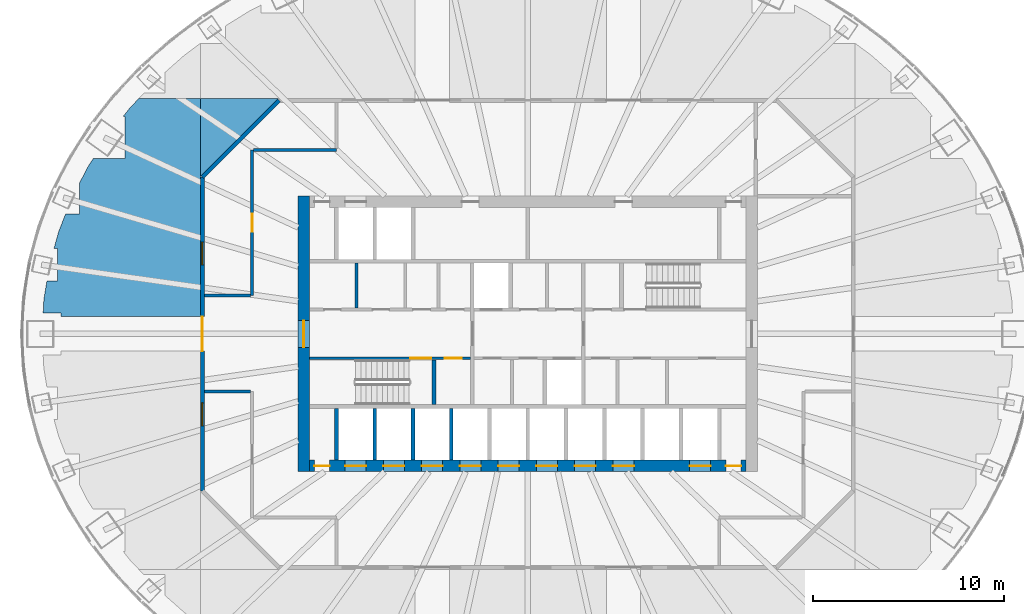
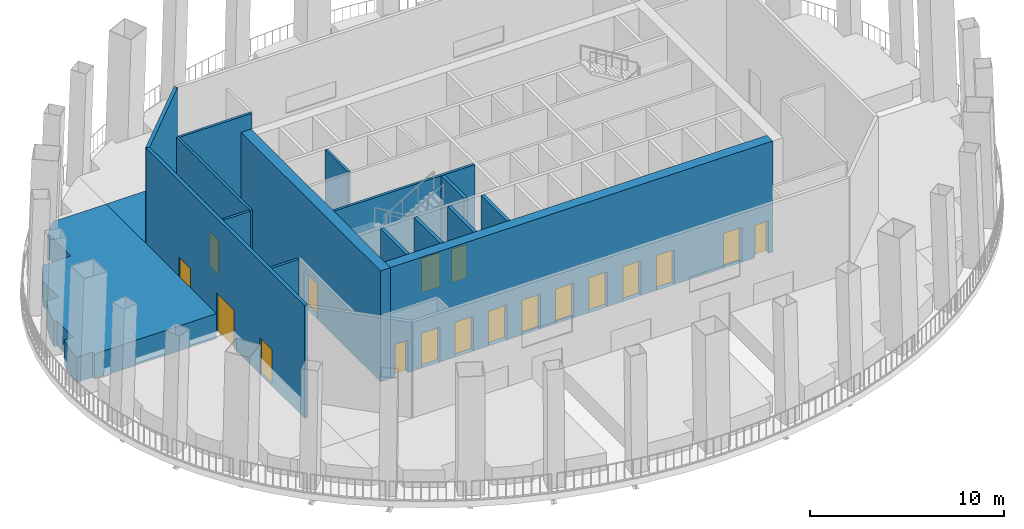
# One storey, part 4 of 13: 17 walls, 16 doors, 2 windows, 18 openings.
"""IFC4 building model written with IfcOpenShell, lengths in metres."""

from ifc_helpers import new_model, si_unit, direction, frame, frame_2d, origin, place, context, subcontext, project, spatial, polyline, rectangle, outline, extrude, material, layer, layer_set, type_object, element, fill, save


model = new_model("IFC4")

# Units and contexts
model_context = context("Model", 3, precision=1e-05, world=origin(), true_north=direction((0.0, 1.0)))
body_context = subcontext(model_context, "Body", "Model", "MODEL_VIEW")
ifc_project = project(units=[si_unit("LENGTHUNIT", "METRE"), si_unit("AREAUNIT", "SQUARE_METRE"), si_unit("VOLUMEUNIT", "CUBIC_METRE"), si_unit("PLANEANGLEUNIT", "RADIAN"), si_unit("MASSUNIT", "GRAM", prefix="KILO")], contexts=[model_context])

# Site, building, storey
site_placement = place(None, origin())
site = spatial("IfcSite", under=ifc_project, at=site_placement, CompositionType="ELEMENT")
building_placement = place(site_placement, origin())
building = spatial("IfcBuilding", under=site, at=building_placement, Name="Siaravel Broadcast Tower", CompositionType="ELEMENT")
storey_placement = place(building_placement, frame((0.0, 0.0, 85.199951171875)))
storey = spatial("IfcBuildingStorey", under=building, at=storey_placement, Name="L20", CompositionType="ELEMENT", Elevation=85.199951171875)

# Wall
ifc_material_1 = material(Name="Concrete blockwork", Category="masonry")
ifc_layer_1 = layer(ifc_material_1, 0.14990234375)
ifc_layer_set_1 = layer_set([ifc_layer_1], Name="Concrete blockwork")
wall_type_1 = type_object("IfcWallType", Name="Core partition 150", PredefinedType="PARTITIONING", material=ifc_layer_set_1)
wall_1_placement = place(storey_placement, frame((-8.93994140625, 1.35009765625, 0.0), z_axis=(0.0, 0.0, 1.0), x_axis=(0.0, 1.0, 0.0)))
element("IfcWall", 1, at=wall_1_placement, inside=storey, type_object=wall_type_1, Name="L20 core partition PNW0", PredefinedType="PARTITIONING", context=body_context, shape_type="SweptSolid", body=[
    extrude(rectangle(XDim=2.349853515625, YDim=0.14990234375, at=frame_2d((1.1748046875, 0.0))), origin(), (0.0, 0.0, 1.0), 7.0),
])

# Wall, opening, door
ifc_material_2 = material(Name="Concrete C60/75", Category="concrete")
ifc_layer_2 = layer(ifc_material_2, 0.60009765625)
ifc_layer_set_2 = layer_set([ifc_layer_2], Name="Concrete C60/75")
wall_type_2 = type_object("IfcWallType", Name="Core wall 600", PredefinedType="SHEAR", material=ifc_layer_set_2)
wall_2_placement = place(storey_placement, frame((-11.699951171875, -7.199951171875, 0.0), z_axis=(0.0, 0.0, 1.0), x_axis=(0.0, 1.0, 0.0)))
wall_2 = element("IfcWall", 2, at=wall_2_placement, inside=storey, type_object=wall_type_2, Name="L20 core wall OW", PredefinedType="SHEAR", context=body_context, shape_type="SweptSolid", body=[
    extrude(rectangle(XDim=14.39990234375, YDim=0.60009765625, at=frame_2d((7.199951171875, 0.0))), origin(), (0.0, 0.0, 1.0), 7.0),
])
opening_1_placement = place(wall_2_placement, frame((6.5, 0.0, 0.0)))
opening_1 = element("IfcOpeningElement", 3, at=opening_1_placement, cuts=wall_2, Name="Opening L20-DX-W", PredefinedType="OPENING", context=body_context, shape_type="SweptSolid", body=[
    extrude(rectangle(XDim=1.39990234375, YDim=2.199951171875, at=frame_2d((0.699951171875, 1.10009765625))), frame((0.0, 0.31005859375, 0.0), z_axis=(0.0, -1.0, 0.0), x_axis=(1.0, 0.0, 0.0)), (0.0, 0.0, 1.0), 0.6201171875),
])
ifc_material_3 = material(Name="Steel", Category="steel")
door_type_1 = type_object("IfcDoorType", Name="Core exit door 1400", OperationType="DOUBLE_DOOR_SINGLE_SWING", PredefinedType="DOOR", material=ifc_material_3)
door_1_placement = place(opening_1_placement, origin())
door_1 = element("IfcDoor", 4, at=door_1_placement, inside=storey, type_object=door_type_1, Name="L20 door DX-W", OperationType="DOUBLE_DOOR_SINGLE_SWING", OverallHeight=2.199951171875, OverallWidth=1.39990234375, PredefinedType="DOOR", context=body_context, shape_type="SweptSolid", body=[
    extrude(rectangle(XDim=1.39990234375, YDim=2.199951171875, at=frame_2d((0.699951171875, 1.10009765625))), frame((0.0, 0.02490234375, 0.0), z_axis=(0.0, -1.0, 0.0), x_axis=(1.0, 0.0, 0.0)), (0.0, 0.0, 1.0), 0.050048828125),
])
fill(opening_1, door_1)

# Wall, openings, doors
wall_3_placement = place(storey_placement, frame((-11.39990234375, -6.89990234375, 0.0), z_axis=(0.0, 0.0, 1.0), x_axis=(1.0, 0.0, 0.0)))
wall_3 = element("IfcWall", 5, at=wall_3_placement, inside=storey, type_object=wall_type_2, Name="L20 core wall OS", PredefinedType="SHEAR", context=body_context, shape_type="SweptSolid", body=[
    extrude(rectangle(XDim=22.7998046875, YDim=0.60009765625, at=frame_2d((11.39990234375, 0.0))), origin(), (0.0, 0.0, 1.0), 7.0),
])
opening_2_placement = place(wall_3_placement, frame((1.85009765625, 0.0, 0.0)))
opening_2 = element("IfcOpeningElement", 6, at=opening_2_placement, cuts=wall_3, Name="Opening LD-LP1-L20", PredefinedType="OPENING", context=body_context, shape_type="SweptSolid", body=[
    extrude(rectangle(XDim=1.10009765625, YDim=2.199951171875, at=frame_2d((0.550048828125, 1.10009765625))), frame((0.0, 0.31005859375, 0.0), z_axis=(0.0, -1.0, 0.0), x_axis=(1.0, 0.0, 0.0)), (0.0, 0.0, 1.0), 0.6201171875),
])
opening_3_placement = place(wall_3_placement, frame((3.85009765625, 0.0, 0.0)))
opening_3 = element("IfcOpeningElement", 7, at=opening_3_placement, cuts=wall_3, Name="Opening LD-LP2-L20", PredefinedType="OPENING", context=body_context, shape_type="SweptSolid", body=[
    extrude(rectangle(XDim=1.10009765625, YDim=2.199951171875, at=frame_2d((0.550048828125, 1.10009765625))), frame((0.0, 0.31005859375, 0.0), z_axis=(0.0, -1.0, 0.0), x_axis=(1.0, 0.0, 0.0)), (0.0, 0.0, 1.0), 0.6201171875),
])
opening_4_placement = place(wall_3_placement, frame((5.85009765625, 0.0, 0.0)))
opening_4 = element("IfcOpeningElement", 8, at=opening_4_placement, cuts=wall_3, Name="Opening LD-LP3-L20", PredefinedType="OPENING", context=body_context, shape_type="SweptSolid", body=[
    extrude(rectangle(XDim=1.10009765625, YDim=2.199951171875, at=frame_2d((0.550048828125, 1.10009765625))), frame((0.0, 0.31005859375, 0.0), z_axis=(0.0, -1.0, 0.0), x_axis=(1.0, 0.0, 0.0)), (0.0, 0.0, 1.0), 0.6201171875),
])
opening_5_placement = place(wall_3_placement, frame((7.85009765625, 0.0, 0.0)))
opening_5 = element("IfcOpeningElement", 9, at=opening_5_placement, cuts=wall_3, Name="Opening LD-LP4-L20", PredefinedType="OPENING", context=body_context, shape_type="SweptSolid", body=[
    extrude(rectangle(XDim=1.10009765625, YDim=2.199951171875, at=frame_2d((0.550048828125, 1.10009765625))), frame((0.0, 0.31005859375, 0.0), z_axis=(0.0, -1.0, 0.0), x_axis=(1.0, 0.0, 0.0)), (0.0, 0.0, 1.0), 0.6201171875),
])
opening_6_placement = place(wall_3_placement, frame((9.85009765625, 0.0, 0.0)))
opening_6 = element("IfcOpeningElement", 10, at=opening_6_placement, cuts=wall_3, Name="Opening LD-LP5-L20", PredefinedType="OPENING", context=body_context, shape_type="SweptSolid", body=[
    extrude(rectangle(XDim=1.10009765625, YDim=2.199951171875, at=frame_2d((0.550048828125, 1.10009765625))), frame((0.0, 0.31005859375, 0.0), z_axis=(0.0, -1.0, 0.0), x_axis=(1.0, 0.0, 0.0)), (0.0, 0.0, 1.0), 0.6201171875),
])
opening_7_placement = place(wall_3_placement, frame((11.85009765625, 0.0, 0.0)))
opening_7 = element("IfcOpeningElement", 11, at=opening_7_placement, cuts=wall_3, Name="Opening LD-LP6-L20", PredefinedType="OPENING", context=body_context, shape_type="SweptSolid", body=[
    extrude(rectangle(XDim=1.10009765625, YDim=2.199951171875, at=frame_2d((0.550048828125, 1.10009765625))), frame((0.0, 0.31005859375, 0.0), z_axis=(0.0, -1.0, 0.0), x_axis=(1.0, 0.0, 0.0)), (0.0, 0.0, 1.0), 0.6201171875),
])
opening_8_placement = place(wall_3_placement, frame((13.85009765625, 0.0, 0.0)))
opening_8 = element("IfcOpeningElement", 12, at=opening_8_placement, cuts=wall_3, Name="Opening LD-LP7-L20", PredefinedType="OPENING", context=body_context, shape_type="SweptSolid", body=[
    extrude(rectangle(XDim=1.10009765625, YDim=2.199951171875, at=frame_2d((0.550048828125, 1.10009765625))), frame((0.0, 0.31005859375, 0.0), z_axis=(0.0, -1.0, 0.0), x_axis=(1.0, 0.0, 0.0)), (0.0, 0.0, 1.0), 0.6201171875),
])
opening_9_placement = place(wall_3_placement, frame((15.85009765625, 0.0, 0.0)))
opening_9 = element("IfcOpeningElement", 13, at=opening_9_placement, cuts=wall_3, Name="Opening LD-LP8-L20", PredefinedType="OPENING", context=body_context, shape_type="SweptSolid", body=[
    extrude(rectangle(XDim=1.10009765625, YDim=2.199951171875, at=frame_2d((0.550048828125, 1.10009765625))), frame((0.0, 0.31005859375, 0.0), z_axis=(0.0, -1.0, 0.0), x_axis=(1.0, 0.0, 0.0)), (0.0, 0.0, 1.0), 0.6201171875),
])
opening_10_placement = place(wall_3_placement, frame((19.85009765625, 0.0, 0.0)))
opening_10 = element("IfcOpeningElement", 14, at=opening_10_placement, cuts=wall_3, Name="Opening LD-SV1-L20", PredefinedType="OPENING", context=body_context, shape_type="SweptSolid", body=[
    extrude(rectangle(XDim=1.10009765625, YDim=2.199951171875, at=frame_2d((0.550048828125, 1.10009765625))), frame((0.0, 0.31005859375, 0.0), z_axis=(0.0, -1.0, 0.0), x_axis=(1.0, 0.0, 0.0)), (0.0, 0.0, 1.0), 0.6201171875),
])
opening_11_placement = place(wall_3_placement, frame((0.25, 0.0, 0.0)))
opening_11 = element("IfcOpeningElement", 15, at=opening_11_placement, cuts=wall_3, Name="Opening L20-DRSW", PredefinedType="OPENING", context=body_context, shape_type="SweptSolid", body=[
    extrude(rectangle(XDim=0.800048828125, YDim=2.050048828125, at=frame_2d((0.39990234375, 1.02490234375))), frame((0.0, 0.31005859375, 0.0), z_axis=(0.0, -1.0, 0.0), x_axis=(1.0, 0.0, 0.0)), (0.0, 0.0, 1.0), 0.6201171875),
])
opening_12_placement = place(wall_3_placement, frame((21.75, 0.0, 0.0)))
opening_12 = element("IfcOpeningElement", 16, at=opening_12_placement, cuts=wall_3, Name="Opening L20-DRSE", PredefinedType="OPENING", context=body_context, shape_type="SweptSolid", body=[
    extrude(rectangle(XDim=0.800048828125, YDim=2.050048828125, at=frame_2d((0.39990234375, 1.02490234375))), frame((0.0, 0.31005859375, 0.0), z_axis=(0.0, -1.0, 0.0), x_axis=(1.0, 0.0, 0.0)), (0.0, 0.0, 1.0), 0.6201171875),
])
ifc_material_4 = material(Name="Stainless steel 316L", Category="steel")
door_type_2 = type_object("IfcDoorType", Name="Lift landing door 1100", OperationType="DOUBLE_DOOR_SLIDING", PredefinedType="DOOR", material=ifc_material_4)
door_2_placement = place(opening_2_placement, origin())
door_2 = element("IfcDoor", 17, at=door_2_placement, inside=storey, type_object=door_type_2, Name="Landing door LP1 L20", OperationType="DOUBLE_DOOR_SLIDING", OverallHeight=2.199951171875, OverallWidth=1.10009765625, PredefinedType="DOOR", context=body_context, shape_type="SweptSolid", body=[
    extrude(rectangle(XDim=1.10009765625, YDim=2.199951171875, at=frame_2d((0.550048828125, 1.10009765625))), frame((0.0, 0.02490234375, 0.0), z_axis=(0.0, -1.0, 0.0), x_axis=(1.0, 0.0, 0.0)), (0.0, 0.0, 1.0), 0.050048828125),
])
fill(opening_2, door_2)
door_3_placement = place(opening_3_placement, origin())
door_3 = element("IfcDoor", 18, at=door_3_placement, inside=storey, type_object=door_type_2, Name="Landing door LP2 L20", OperationType="DOUBLE_DOOR_SLIDING", OverallHeight=2.199951171875, OverallWidth=1.10009765625, PredefinedType="DOOR", context=body_context, shape_type="SweptSolid", body=[
    extrude(rectangle(XDim=1.10009765625, YDim=2.199951171875, at=frame_2d((0.550048828125, 1.10009765625))), frame((0.0, 0.02490234375, 0.0), z_axis=(0.0, -1.0, 0.0), x_axis=(1.0, 0.0, 0.0)), (0.0, 0.0, 1.0), 0.050048828125),
])
fill(opening_3, door_3)
door_4_placement = place(opening_4_placement, origin())
door_4 = element("IfcDoor", 19, at=door_4_placement, inside=storey, type_object=door_type_2, Name="Landing door LP3 L20", OperationType="DOUBLE_DOOR_SLIDING", OverallHeight=2.199951171875, OverallWidth=1.10009765625, PredefinedType="DOOR", context=body_context, shape_type="SweptSolid", body=[
    extrude(rectangle(XDim=1.10009765625, YDim=2.199951171875, at=frame_2d((0.550048828125, 1.10009765625))), frame((0.0, 0.02490234375, 0.0), z_axis=(0.0, -1.0, 0.0), x_axis=(1.0, 0.0, 0.0)), (0.0, 0.0, 1.0), 0.050048828125),
])
fill(opening_4, door_4)
door_5_placement = place(opening_5_placement, origin())
door_5 = element("IfcDoor", 20, at=door_5_placement, inside=storey, type_object=door_type_2, Name="Landing door LP4 L20", OperationType="DOUBLE_DOOR_SLIDING", OverallHeight=2.199951171875, OverallWidth=1.10009765625, PredefinedType="DOOR", context=body_context, shape_type="SweptSolid", body=[
    extrude(rectangle(XDim=1.10009765625, YDim=2.199951171875, at=frame_2d((0.550048828125, 1.10009765625))), frame((0.0, 0.02490234375, 0.0), z_axis=(0.0, -1.0, 0.0), x_axis=(1.0, 0.0, 0.0)), (0.0, 0.0, 1.0), 0.050048828125),
])
fill(opening_5, door_5)
door_6_placement = place(opening_6_placement, origin())
door_6 = element("IfcDoor", 21, at=door_6_placement, inside=storey, type_object=door_type_2, Name="Landing door LP5 L20", OperationType="DOUBLE_DOOR_SLIDING", OverallHeight=2.199951171875, OverallWidth=1.10009765625, PredefinedType="DOOR", context=body_context, shape_type="SweptSolid", body=[
    extrude(rectangle(XDim=1.10009765625, YDim=2.199951171875, at=frame_2d((0.550048828125, 1.10009765625))), frame((0.0, 0.02490234375, 0.0), z_axis=(0.0, -1.0, 0.0), x_axis=(1.0, 0.0, 0.0)), (0.0, 0.0, 1.0), 0.050048828125),
])
fill(opening_6, door_6)
door_7_placement = place(opening_7_placement, origin())
door_7 = element("IfcDoor", 22, at=door_7_placement, inside=storey, type_object=door_type_2, Name="Landing door LP6 L20", OperationType="DOUBLE_DOOR_SLIDING", OverallHeight=2.199951171875, OverallWidth=1.10009765625, PredefinedType="DOOR", context=body_context, shape_type="SweptSolid", body=[
    extrude(rectangle(XDim=1.10009765625, YDim=2.199951171875, at=frame_2d((0.550048828125, 1.10009765625))), frame((0.0, 0.02490234375, 0.0), z_axis=(0.0, -1.0, 0.0), x_axis=(1.0, 0.0, 0.0)), (0.0, 0.0, 1.0), 0.050048828125),
])
fill(opening_7, door_7)
door_8_placement = place(opening_8_placement, origin())
door_8 = element("IfcDoor", 23, at=door_8_placement, inside=storey, type_object=door_type_2, Name="Landing door LP7 L20", OperationType="DOUBLE_DOOR_SLIDING", OverallHeight=2.199951171875, OverallWidth=1.10009765625, PredefinedType="DOOR", context=body_context, shape_type="SweptSolid", body=[
    extrude(rectangle(XDim=1.10009765625, YDim=2.199951171875, at=frame_2d((0.550048828125, 1.10009765625))), frame((0.0, 0.02490234375, 0.0), z_axis=(0.0, -1.0, 0.0), x_axis=(1.0, 0.0, 0.0)), (0.0, 0.0, 1.0), 0.050048828125),
])
fill(opening_8, door_8)
door_9_placement = place(opening_9_placement, origin())
door_9 = element("IfcDoor", 24, at=door_9_placement, inside=storey, type_object=door_type_2, Name="Landing door LP8 L20", OperationType="DOUBLE_DOOR_SLIDING", OverallHeight=2.199951171875, OverallWidth=1.10009765625, PredefinedType="DOOR", context=body_context, shape_type="SweptSolid", body=[
    extrude(rectangle(XDim=1.10009765625, YDim=2.199951171875, at=frame_2d((0.550048828125, 1.10009765625))), frame((0.0, 0.02490234375, 0.0), z_axis=(0.0, -1.0, 0.0), x_axis=(1.0, 0.0, 0.0)), (0.0, 0.0, 1.0), 0.050048828125),
])
fill(opening_9, door_9)
door_type_3 = type_object("IfcDoorType", Name="Riser door 800", OperationType="SINGLE_SWING_LEFT", PredefinedType="DOOR", material=ifc_material_3)
door_10_placement = place(opening_11_placement, origin())
door_10 = element("IfcDoor", 25, at=door_10_placement, inside=storey, type_object=door_type_3, Name="L20 door DRSW", OperationType="SINGLE_SWING_LEFT", OverallHeight=2.050048828125, OverallWidth=0.800048828125, PredefinedType="DOOR", context=body_context, shape_type="SweptSolid", body=[
    extrude(rectangle(XDim=0.800048828125, YDim=2.050048828125, at=frame_2d((0.39990234375, 1.02490234375))), frame((0.0, 0.02490234375, 0.0), z_axis=(0.0, -1.0, 0.0), x_axis=(1.0, 0.0, 0.0)), (0.0, 0.0, 1.0), 0.050048828125),
])
fill(opening_11, door_10)
door_11_placement = place(opening_12_placement, origin())
door_11 = element("IfcDoor", 26, at=door_11_placement, inside=storey, type_object=door_type_3, Name="L20 door DRSE", OperationType="SINGLE_SWING_LEFT", OverallHeight=2.050048828125, OverallWidth=0.800048828125, PredefinedType="DOOR", context=body_context, shape_type="SweptSolid", body=[
    extrude(rectangle(XDim=0.800048828125, YDim=2.050048828125, at=frame_2d((0.39990234375, 1.02490234375))), frame((0.0, 0.02490234375, 0.0), z_axis=(0.0, -1.0, 0.0), x_axis=(1.0, 0.0, 0.0)), (0.0, 0.0, 1.0), 0.050048828125),
])
fill(opening_12, door_11)
door_type_4 = type_object("IfcDoorType", Name="Service lift landing door 1100", OperationType="DOUBLE_DOOR_SLIDING", PredefinedType="DOOR", material=ifc_material_4)
door_12_placement = place(opening_10_placement, origin())
door_12 = element("IfcDoor", 27, at=door_12_placement, inside=storey, type_object=door_type_4, Name="Landing door SV1 L20", OperationType="DOUBLE_DOOR_SLIDING", OverallHeight=2.199951171875, OverallWidth=1.10009765625, PredefinedType="DOOR", context=body_context, shape_type="SweptSolid", body=[
    extrude(rectangle(XDim=1.10009765625, YDim=2.199951171875, at=frame_2d((0.550048828125, 1.10009765625))), frame((0.0, 0.02490234375, 0.0), z_axis=(0.0, -1.0, 0.0), x_axis=(1.0, 0.0, 0.0)), (0.0, 0.0, 1.0), 0.050048828125),
])
fill(opening_10, door_12)

# Wall, opening, door
ifc_material_5 = material(Name="Gypsum board partition", Category="gypsum")
ifc_layer_3 = layer(ifc_material_5, 0.14990234375)
ifc_layer_set_3 = layer_set([ifc_layer_3], Name="Gypsum board partition")
wall_type_3 = type_object("IfcWallType", Name="Corridor wall 150", PredefinedType="PARTITIONING", material=ifc_layer_set_3)
wall_4_placement = place(storey_placement, frame((-14.39990234375, 2.0, 0.0), z_axis=(0.0, 0.0, 1.0), x_axis=(0.0, 1.0, 0.0)))
wall_4 = element("IfcWall", 28, at=wall_4_placement, inside=storey, type_object=wall_type_3, Name="L20 partition 1", PredefinedType="PARTITIONING", context=body_context, shape_type="SweptSolid", body=[
    extrude(rectangle(XDim=7.60009765625, YDim=0.14990234375, at=frame_2d((3.800048828125, 0.0))), origin(), (0.0, 0.0, 1.0), 6.10009765625),
])
opening_13_placement = place(wall_4_placement, frame((3.324951171875, 0.0, 0.0)))
opening_13 = element("IfcOpeningElement", 29, at=opening_13_placement, cuts=wall_4, Name="Opening L20-001", PredefinedType="OPENING", context=body_context, shape_type="SweptSolid", body=[
    extrude(rectangle(XDim=0.949951171875, YDim=2.14990234375, at=frame_2d((0.47509765625, 1.074951171875))), frame((0.0, 0.0849609375, 0.0), z_axis=(0.0, -1.0, 0.0), x_axis=(1.0, 0.0, 0.0)), (0.0, 0.0, 1.0), 0.169921875),
])
ifc_material_6 = material(Name="Timber veneer", Category="wood")
door_type_5 = type_object("IfcDoorType", Name="Office door 950", OperationType="SINGLE_SWING_LEFT", PredefinedType="DOOR", material=ifc_material_6)
door_13_placement = place(opening_13_placement, origin())
door_13 = element("IfcDoor", 30, at=door_13_placement, inside=storey, type_object=door_type_5, Name="L20 door to Sky lounge", OperationType="SINGLE_SWING_LEFT", OverallHeight=2.14990234375, OverallWidth=0.949951171875, PredefinedType="DOOR", context=body_context, shape_type="SweptSolid", body=[
    extrude(rectangle(XDim=0.949951171875, YDim=2.14990234375, at=frame_2d((0.47509765625, 1.074951171875))), frame((0.0, 0.02490234375, 0.0), z_axis=(0.0, -1.0, 0.0), x_axis=(1.0, 0.0, 0.0)), (0.0, 0.0, 1.0), 0.050048828125),
])
fill(opening_13, door_13)

# Walls
wall_5_placement = place(storey_placement, frame((-14.322998046875, 9.60009765625, 0.0), z_axis=(0.0, 0.0, 1.0), x_axis=(1.0, 0.0, 0.0)))
element("IfcWall", 31, at=wall_5_placement, inside=storey, type_object=wall_type_3, Name="L20 partition 6", PredefinedType="PARTITIONING", context=body_context, shape_type="SweptSolid", body=[
    extrude(rectangle(XDim=4.322998046875, YDim=0.14990234375, at=frame_2d((2.16162109375, 0.0))), origin(), (0.0, 0.0, 1.0), 6.10009765625),
])
for number, where, z_axis, x_axis, name in (
    (32, (-16.89990234375, 2.0, 0.0), (0.0, 0.0, 1.0), (1.0, 0.0, 0.0), "L20 partition 12"),
    (33, (-14.47705078125, -3.0, 0.0), (0.0, 0.0, 1.0), (-1.0, 0.0, 0.0), "L20 partition 13"),
):
    element("IfcWall", number, at=place(storey_placement, frame(where, z_axis=z_axis, x_axis=x_axis)), inside=storey, type_object=wall_type_3, Name=name, PredefinedType="PARTITIONING", context=body_context, shape_type="SweptSolid", body=[
        extrude(rectangle(XDim=2.4228515625, YDim=0.14990234375, at=frame_2d((1.21142578125, 0.0))), origin(), (0.0, 0.0, 1.0), 6.10009765625),
    ])
ifc_material_7 = material(Name="Concrete C40/50", Category="concrete")
ifc_layer_4 = layer(ifc_material_7, 1.0)
ifc_layer_set_4 = layer_set([ifc_layer_4], Name="Concrete C40/50")
wall_type_4 = type_object("IfcWallType", Name="Garden planter box", PredefinedType="ELEMENTEDWALL", material=ifc_layer_set_4)
wall_6_placement = place(storey_placement, frame((0.0, 0.0, -0.39990234375)))
element("IfcWall", 34, at=wall_6_placement, inside=storey, type_object=wall_type_4, Name="L20 garden planting bed 10", PredefinedType="ELEMENTEDWALL", context=body_context, shape_type="SweptSolid", body=[
    extrude(outline(polyline([(-25.125244140625, 2.76416015625), (-25.28271484375, 1.793701171875), (-25.3203125, 1.10009765625), (-24.393310546875, 1.10009765625), (-24.393310546875, 0.89990234375), (-17.10009765625, 0.89990234375), (-17.10009765625, 8.241455078125), (-17.10009765625, 12.300048828125), (-20.32080078125, 12.300048828125), (-20.78955078125, 11.804443359375), (-21.140380859375, 11.35791015625), (-21.031494140625, 11.35791015625), (-21.031494140625, 9.15771484375), (-22.706298828125, 9.15771484375), (-23.00146484375, 8.69775390625), (-23.40869140625, 7.900634765625), (-23.40869140625, 6.275390625), (-24.145751953125, 6.275390625), (-24.5146484375, 5.32666015625), (-24.75048828125, 4.464111328125), (-24.557373046875, 4.464111328125), (-24.557373046875, 2.76416015625), (-25.125244140625, 2.76416015625)])), origin(), (0.0, 0.0, 1.0), 1.579833984375),
])
wall_7_placement = place(storey_placement, frame((0.0, 0.0, -0.39990234375)))
element("IfcWall", 35, at=wall_7_placement, inside=storey, type_object=wall_type_4, Name="L20 garden planting bed 12", PredefinedType="ELEMENTEDWALL", context=body_context, shape_type="SweptSolid", body=[
    extrude(outline(polyline([(-13.04150390625, 12.300048828125), (-17.10009765625, 12.300048828125), (-17.10009765625, 8.241455078125), (-13.04150390625, 12.300048828125)])), origin(), (0.0, 0.0, 1.0), 1.579833984375),
])

# Wall, openings, doors
ifc_layer_5 = layer(ifc_material_2, 0.14990234375)
ifc_layer_set_5 = layer_set([ifc_layer_5], Name="Concrete C60/75")
wall_type_5 = type_object("IfcWallType", Name="Shaft wall 150", PredefinedType="SHEAR", material=ifc_layer_set_5)
wall_8_placement = place(storey_placement, frame((-11.39990234375, -1.27490234375, 0.0), z_axis=(0.0, 0.0, 1.0), x_axis=(1.0, 0.0, 0.0)))
wall_8 = element("IfcWall", 36, at=wall_8_placement, inside=storey, type_object=wall_type_5, Name="L20 core wall CSW", PredefinedType="SHEAR", context=body_context, shape_type="SweptSolid", body=[
    extrude(rectangle(XDim=8.39990234375, YDim=0.14990234375, at=frame_2d((4.199951171875, 0.0))), origin(), (0.0, 0.0, 1.0), 7.0),
])
opening_14_placement = place(wall_8_placement, frame((5.25, 0.0, 0.0)))
opening_14 = element("IfcOpeningElement", 37, at=opening_14_placement, cuts=wall_8, Name="Opening L20-DS-1", PredefinedType="OPENING", context=body_context, shape_type="SweptSolid", body=[
    extrude(rectangle(XDim=1.10009765625, YDim=2.14990234375, at=frame_2d((0.550048828125, 1.074951171875))), frame((0.0, 0.0849609375, 0.0), z_axis=(0.0, -1.0, 0.0), x_axis=(1.0, 0.0, 0.0)), (0.0, 0.0, 1.0), 0.169921875),
])
opening_15_placement = place(wall_8_placement, frame((7.050048828125, 0.0, 0.0)))
opening_15 = element("IfcOpeningElement", 38, at=opening_15_placement, cuts=wall_8, Name="Opening L20-DSW0", PredefinedType="OPENING", context=body_context, shape_type="SweptSolid", body=[
    extrude(rectangle(XDim=0.89990234375, YDim=2.10009765625, at=frame_2d((0.449951171875, 1.050048828125))), frame((0.0, 0.0849609375, 0.0), z_axis=(0.0, -1.0, 0.0), x_axis=(1.0, 0.0, 0.0)), (0.0, 0.0, 1.0), 0.169921875),
])
door_type_6 = type_object("IfcDoorType", Name="Core room door 900", OperationType="SINGLE_SWING_LEFT", PredefinedType="DOOR", material=ifc_material_6)
door_14_placement = place(opening_15_placement, origin())
door_14 = element("IfcDoor", 39, at=door_14_placement, inside=storey, type_object=door_type_6, Name="L20 door DSW0", OperationType="SINGLE_SWING_LEFT", OverallHeight=2.10009765625, OverallWidth=0.89990234375, PredefinedType="DOOR", context=body_context, shape_type="SweptSolid", body=[
    extrude(rectangle(XDim=0.89990234375, YDim=2.10009765625, at=frame_2d((0.449951171875, 1.050048828125))), frame((0.0, 0.02490234375, 0.0), z_axis=(0.0, -1.0, 0.0), x_axis=(1.0, 0.0, 0.0)), (0.0, 0.0, 1.0), 0.050048828125),
])
fill(opening_15, door_14)
door_type_7 = type_object("IfcDoorType", Name="Stair door 1100", OperationType="SINGLE_SWING_LEFT", PredefinedType="DOOR", material=ifc_material_3)
door_15_placement = place(opening_14_placement, origin())
door_15 = element("IfcDoor", 40, at=door_15_placement, inside=storey, type_object=door_type_7, Name="L20 door DS-1", OperationType="SINGLE_SWING_LEFT", OverallHeight=2.14990234375, OverallWidth=1.10009765625, PredefinedType="DOOR", context=body_context, shape_type="SweptSolid", body=[
    extrude(rectangle(XDim=1.10009765625, YDim=2.14990234375, at=frame_2d((0.550048828125, 1.074951171875))), frame((0.0, 0.02490234375, 0.0), z_axis=(0.0, -1.0, 0.0), x_axis=(1.0, 0.0, 0.0)), (0.0, 0.0, 1.0), 0.050048828125),
])
fill(opening_14, door_15)

# Walls
ifc_layer_6 = layer(ifc_material_2, 0.199951171875)
ifc_layer_set_6 = layer_set([ifc_layer_6], Name="Concrete C60/75")
wall_type_6 = type_object("IfcWallType", Name="Shaft wall 200", PredefinedType="SHEAR", material=ifc_layer_set_6)
for number, where, z_axis, x_axis, name in (
    (41, (-10.0, -6.60009765625, 0.0), (0.0, 0.0, 1.0), (0.0, 1.0, 0.0), "L20 core wall SWS0"),
    (42, (-8.0, -6.60009765625, 0.0), (0.0, 0.0, 1.0), (0.0, 1.0, 0.0), "L20 core wall SWS1"),
    (43, (-6.0, -6.60009765625, 0.0), (0.0, 0.0, 1.0), (0.0, 1.0, 0.0), "L20 core wall SWS2"),
    (44, (-4.0, -6.60009765625, 0.0), (0.0, 0.0, 1.0), (0.0, 1.0, 0.0), "L20 core wall SWS3"),
):
    element("IfcWall", number, at=place(storey_placement, frame(where, z_axis=z_axis, x_axis=x_axis)), inside=storey, type_object=wall_type_6, Name=name, PredefinedType="SHEAR", context=body_context, shape_type="SweptSolid", body=[
        extrude(rectangle(XDim=2.7001953125, YDim=0.199951171875, at=frame_2d((1.35009765625, 0.0))), origin(), (0.0, 0.0, 1.0), 7.0),
    ])
wall_9_placement = place(storey_placement, frame((-4.89990234375, -3.699951171875, 0.0), z_axis=(0.0, 0.0, 1.0), x_axis=(0.0, 1.0, 0.0)))
element("IfcWall", 45, at=wall_9_placement, inside=storey, type_object=wall_type_6, Name="L20 core wall ST1E", PredefinedType="SHEAR", context=body_context, shape_type="SweptSolid", body=[
    extrude(rectangle(XDim=2.349853515625, YDim=0.199951171875, at=frame_2d((1.1748046875, 0.0))), origin(), (0.0, 0.0, 1.0), 7.0),
])

# Wall, openings, door, windows
ifc_layer_7 = layer(ifc_material_7, 0.199951171875)
ifc_layer_set_7 = layer_set([ifc_layer_7], Name="Concrete C40/50")
wall_type_7 = type_object("IfcWallType", Name="Sky lobby enclosure wall", PredefinedType="STANDARD", material=ifc_layer_set_7)
wall_10_placement = place(storey_placement, frame((-17.0, -8.199951171875, 0.080078125), z_axis=(0.0, 0.0, 1.0), x_axis=(0.0, 1.0, 0.0)))
wall_10 = element("IfcWall", 46, at=wall_10_placement, inside=storey, type_object=wall_type_7, Name="L20 sky lobby enclosure wall W", PredefinedType="STANDARD", context=body_context, shape_type="SweptSolid", body=[
    extrude(rectangle(XDim=16.39990234375, YDim=0.199951171875, at=frame_2d((8.199951171875, 0.0))), origin(), (0.0, 0.0, 1.0), 7.119873046875),
])
opening_16_placement = place(wall_10_placement, frame((7.300048828125, 0.0, 0.0)))
opening_16 = element("IfcOpeningElement", 47, at=opening_16_placement, cuts=wall_10, Name="Opening L20-GDN-W1", PredefinedType="OPENING", context=body_context, shape_type="SweptSolid", body=[
    extrude(rectangle(XDim=1.800048828125, YDim=2.39990234375, at=frame_2d((0.89990234375, 1.199951171875))), frame((0.0, 0.10986328125, 0.0), z_axis=(0.0, -1.0, 0.0), x_axis=(1.0, 0.0, 0.0)), (0.0, 0.0, 1.0), 0.219970703125),
])
opening_17_placement = place(wall_10_placement, frame((3.39990234375, 0.0, 0.10009765625)))
opening_17 = element("IfcOpeningElement", 48, at=opening_17_placement, cuts=wall_10, Name="Opening WX-2", PredefinedType="OPENING", context=body_context, shape_type="SweptSolid", body=[
    extrude(rectangle(XDim=1.199951171875, YDim=2.199951171875, at=frame_2d((0.60009765625, 1.10009765625))), frame((0.0, 0.10986328125, 0.0), z_axis=(0.0, -1.0, 0.0), x_axis=(1.0, 0.0, 0.0)), (0.0, 0.0, 1.0), 0.219970703125),
])
opening_18_placement = place(wall_10_placement, frame((11.800048828125, 0.0, 0.10009765625)))
opening_18 = element("IfcOpeningElement", 49, at=opening_18_placement, cuts=wall_10, Name="Opening WX-2", PredefinedType="OPENING", context=body_context, shape_type="SweptSolid", body=[
    extrude(rectangle(XDim=1.199951171875, YDim=2.199951171875, at=frame_2d((0.60009765625, 1.10009765625))), frame((0.0, 0.10986328125, 0.0), z_axis=(0.0, -1.0, 0.0), x_axis=(1.0, 0.0, 0.0)), (0.0, 0.0, 1.0), 0.219970703125),
])
ifc_material_8 = material(Name="Aluminium 6063-T6", Category="aluminium")
door_type_8 = type_object("IfcDoorType", Name="Garden door", OperationType="DOUBLE_DOOR_SINGLE_SWING", PredefinedType="DOOR", material=ifc_material_8)
door_16_placement = place(opening_16_placement, origin())
door_16 = element("IfcDoor", 50, at=door_16_placement, inside=storey, type_object=door_type_8, Name="L20 garden door W1", OperationType="DOUBLE_DOOR_SINGLE_SWING", OverallHeight=2.39990234375, OverallWidth=1.800048828125, PredefinedType="DOOR", context=body_context, shape_type="SweptSolid", body=[
    extrude(rectangle(XDim=1.800048828125, YDim=2.39990234375, at=frame_2d((0.89990234375, 1.199951171875))), frame((0.0, 0.02490234375, 0.0), z_axis=(0.0, -1.0, 0.0), x_axis=(1.0, 0.0, 0.0)), (0.0, 0.0, 1.0), 0.050048828125),
])
fill(opening_16, door_16)
window_type = type_object("IfcWindowType", Name="Sky lobby tall window 1200x2200", PartitioningType="SINGLE_PANEL", PredefinedType="WINDOW", material=ifc_material_8)
window_1_placement = place(opening_17_placement, origin())
window_1 = element("IfcWindow", 51, at=window_1_placement, inside=storey, type_object=window_type, Name="L20 sky lobby tall window W1", OverallHeight=2.199951171875, OverallWidth=1.199951171875, PartitioningType="SINGLE_PANEL", PredefinedType="WINDOW", context=body_context, shape_type="SweptSolid", body=[
    extrude(rectangle(XDim=1.199951171875, YDim=2.199951171875, at=frame_2d((0.60009765625, 1.10009765625))), frame((0.0, 0.030029296875, 0.0), z_axis=(0.0, -1.0, 0.0), x_axis=(1.0, 0.0, 0.0)), (0.0, 0.0, 1.0), 0.06005859375),
])
fill(opening_17, window_1)
window_2_placement = place(opening_18_placement, origin())
window_2 = element("IfcWindow", 52, at=window_2_placement, inside=storey, type_object=window_type, Name="L20 sky lobby tall window W2", OverallHeight=2.199951171875, OverallWidth=1.199951171875, PartitioningType="SINGLE_PANEL", PredefinedType="WINDOW", context=body_context, shape_type="SweptSolid", body=[
    extrude(rectangle(XDim=1.199951171875, YDim=2.199951171875, at=frame_2d((0.60009765625, 1.10009765625))), frame((0.0, 0.030029296875, 0.0), z_axis=(0.0, -1.0, 0.0), x_axis=(1.0, 0.0, 0.0)), (0.0, 0.0, 1.0), 0.06005859375),
])
fill(opening_18, window_2)

# Wall
wall_11_placement = place(storey_placement, frame((-17.0, 8.199951171875, 0.080078125), z_axis=(0.0, 0.0, 1.0), x_axis=(0.707106781, 0.707106781, 0.0)))
element("IfcWall", 53, at=wall_11_placement, inside=storey, type_object=wall_type_7, Name="L20 sky lobby enclosure wall NW", PredefinedType="STANDARD", context=body_context, shape_type="SweptSolid", body=[
    extrude(rectangle(XDim=5.65673828125, YDim=0.199951171875, at=frame_2d((2.828369140625, 0.0))), origin(), (0.0, 0.0, 1.0), 7.119873046875),
])

save(model, "model.ifc")
